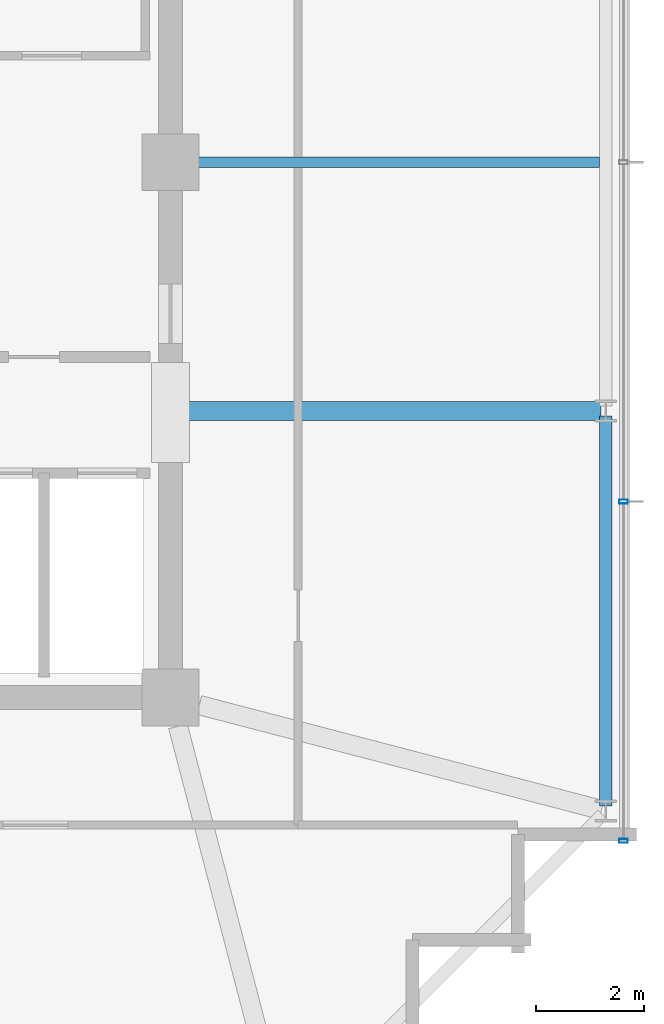
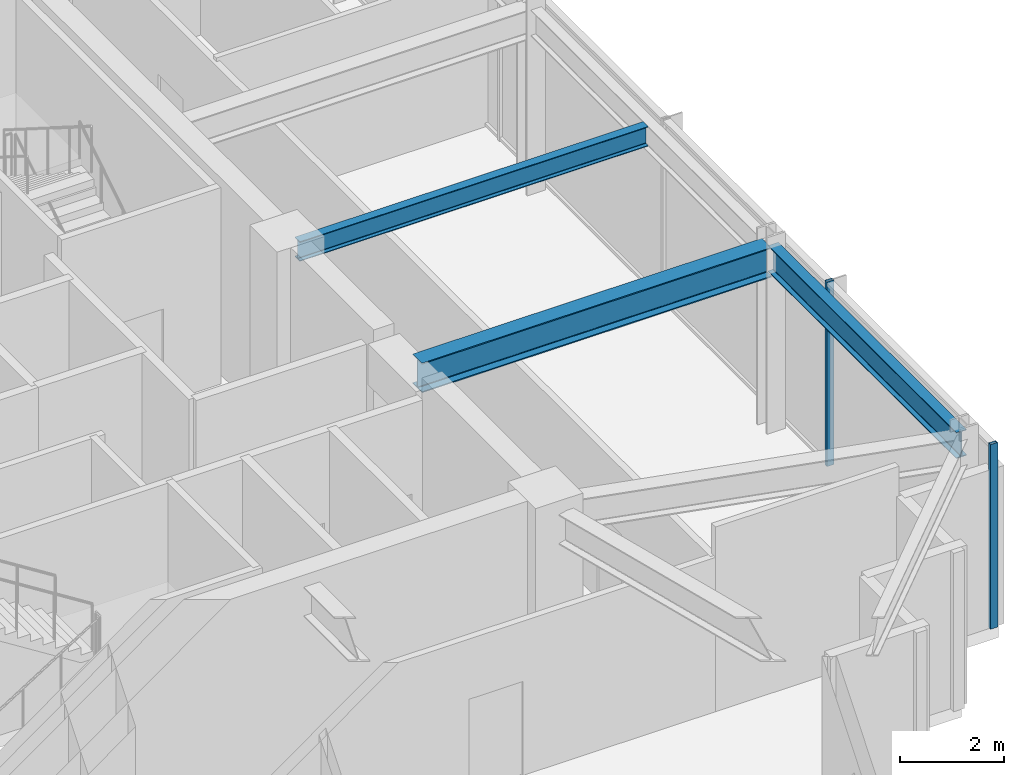
# One storey, part 11 of 30: 3 beams, 2 members, 1 element without a shape of its own.
"""IFC4 building model written with IfcOpenShell, lengths in metres."""

from ifc_helpers import new_model, si_unit, direction, frame, origin, origin_2d, place, context, subcontext, project, spatial, hollow_rectangle, i_section, extrude, material, material_profile, profile_set, type_object, element, aggregate, save


model = new_model("IFC4")

# Units and contexts
model_context = context("Model", 3, precision=1e-05, world=origin(), true_north=direction((0.0, 1.0)))
body_context = subcontext(model_context, "Body", "Model", "MODEL_VIEW")
ifc_project = project(units=[si_unit("LENGTHUNIT", "METRE"), si_unit("AREAUNIT", "SQUARE_METRE"), si_unit("VOLUMEUNIT", "CUBIC_METRE"), si_unit("PLANEANGLEUNIT", "RADIAN"), si_unit("MASSUNIT", "GRAM", prefix="KILO")], contexts=[model_context])

# Site, building, storey
site_placement = place(None, origin())
site = spatial("IfcSite", under=ifc_project, at=site_placement, CompositionType="ELEMENT")
building_placement = place(site_placement, origin())
building = spatial("IfcBuilding", under=site, at=building_placement, Name="Kolvaren Belvedere", CompositionType="ELEMENT")
storey_placement = place(building_placement, frame((0.0, 0.0, 262.800048828125)))
storey = spatial("IfcBuildingStorey", under=building, at=storey_placement, Name="L76", CompositionType="ELEMENT", Elevation=262.800048828125)

# Beams
ifc_material_1 = material(Name="Structural steel ASTM A992 Grade 50", Category="steel")
ifc_material_profile_1 = material_profile(ifc_material_1, i_section(OverallWidth=0.35498046875, OverallDepth=0.696044921875, WebThickness=0.015380859375, FlangeThickness=0.02490234375, FilletRadius=0.02197265625, at=origin_2d()), Name="W27X146")
ifc_profile_set_1 = profile_set([ifc_material_profile_1], Name="Structural steel ASTM A992 Grade 50")
beam_type_1 = type_object("IfcBeamType", Name="BM-GIRD-W27X146", PredefinedType="BEAM", material=ifc_profile_set_1)
beam_1_placement = place(storey_placement, frame((10.125, -4.60009765625, 3.971923828125), z_axis=(1.0, 0.0, 0.0), x_axis=(0.0, 1.0, 0.0)))
element("IfcBeam", 1, at=beam_1_placement, inside=storey, type_object=beam_type_1, Name="L76 East Radial Girder M", PredefinedType="BEAM", context=body_context, shape_type="SweptSolid", body=[
    extrude(i_section(OverallWidth=0.35498046875, OverallDepth=0.696044921875, WebThickness=0.015380859375, FlangeThickness=0.02490234375, FilletRadius=0.02197265625, at=origin_2d()), origin(), (0.0, 0.0, 1.0), 7.7333984375),
])
ifc_material_2 = material(Name="Structural steel ASTM A992 Grade 50", Category="steel")
ifc_material_profile_2 = material_profile(ifc_material_2, i_section(OverallWidth=0.19091796875, OverallDepth=0.4599609375, WebThickness=0.010009765625, FlangeThickness=0.01611328125, FilletRadius=0.014892578125, at=origin_2d()), Name="W18X55")
ifc_profile_set_2 = profile_set([ifc_material_profile_2], Name="Structural steel ASTM A992 Grade 50")
beam_type_2 = type_object("IfcBeamType", Name="BM-JOIST-W18X55", PredefinedType="BEAM", material=ifc_profile_set_2)
beam_2_placement = place(storey_placement, frame((10.125, 0.0, 4.08984375), z_axis=(1.0, 0.0, 0.0), x_axis=(0.0, 1.0, 0.0)))
element("IfcBeam", 2, at=beam_2_placement, inside=storey, type_object=beam_type_2, Name="L76 East Centre Floor Beam", PredefinedType="BEAM", context=body_context, shape_type="SweptSolid", body=[
    extrude(i_section(OverallWidth=0.19091796875, OverallDepth=0.4599609375, WebThickness=0.010009765625, FlangeThickness=0.01611328125, FilletRadius=0.014892578125, at=origin_2d()), origin(), (0.0, 0.0, 1.0), 7.71044921875),
])
ifc_material_3 = material(Name="Structural steel ASTM A992 Grade 50", Category="steel")
ifc_material_profile_3 = material_profile(ifc_material_3, i_section(OverallWidth=0.22900390625, OverallDepth=0.612060546875, WebThickness=0.011962890625, FlangeThickness=0.01953125, FilletRadius=0.01806640625, at=origin_2d()), Name="W24X84")
ifc_profile_set_3 = profile_set([ifc_material_profile_3], Name="Structural steel ASTM A992 Grade 50")
beam_type_3 = type_object("IfcBeamType", Name="BM-SPAN-W24X84", PredefinedType="SPANDREL", material=ifc_profile_set_3)
beam_3_placement = place(storey_placement, frame((17.949951171875, -11.908447265625, 4.013916015625), z_axis=(0.0, 1.0, 0.0), x_axis=(-1.0, 0.0, 0.0)))
element("IfcBeam", 3, at=beam_3_placement, inside=storey, type_object=beam_type_3, Name="L76 Perimeter Spandrel E1-E2", PredefinedType="SPANDREL", context=body_context, shape_type="SweptSolid", body=[
    extrude(i_section(OverallWidth=0.22900390625, OverallDepth=0.612060546875, WebThickness=0.011962890625, FlangeThickness=0.01953125, FilletRadius=0.01806640625, at=origin_2d()), origin(), (0.0, 0.0, 1.0), 7.216796875),
])

# Curtain wall, members
ifc_material_4 = material(Name="Anodised pale-metal aluminium AA 6063-T6", Category="aluminium")
curtain_wall_type = type_object("IfcCurtainWallType", Name="CW-CRN-OBS", PredefinedType="NOTDEFINED", material=ifc_material_4)
curtain_wall_placement = place(storey_placement, origin())
curtain_wall = element("IfcCurtainWall", 4, at=curtain_wall_placement, inside=storey, type_object=curtain_wall_type, Name="L76 Unitised Curtain Wall FCW-L76-E", PredefinedType="NOTDEFINED")
ifc_material_5 = material(Name="Anodised pale-metal aluminium AA 6063-T6", Category="aluminium")
ifc_material_profile_4 = material_profile(ifc_material_5, hollow_rectangle(XDim=0.074951171875, YDim=0.159912109375, WallThickness=0.00439453125, at=origin_2d()), Name="ALU-MUL-160X75")
ifc_profile_set_4 = profile_set([ifc_material_profile_4], Name="Anodised pale-metal aluminium AA 6063-T6")
member_type = type_object("IfcMemberType", Name="CW-MUL-160", PredefinedType="MULLION", material=ifc_profile_set_4)
member_1_placement = place(storey_placement, frame((18.280029296875, -6.27490234375, 0.0), z_axis=(0.0, 0.0, 1.0), x_axis=(0.0, 1.0, 0.0)))
member_1 = element("IfcMember", 5, at=member_1_placement, type_object=member_type, Name="FCW-L76-E Unitised Mullion 4", PredefinedType="MULLION", context=body_context, shape_type="SweptSolid", body=[
    extrude(hollow_rectangle(XDim=0.074951171875, YDim=0.159912109375, WallThickness=0.00439453125, at=origin_2d()), origin(), (0.0, 0.0, 1.0), 4.320068359375),
])
member_2_placement = place(storey_placement, frame((18.280029296875, -12.550048828125, 0.0), z_axis=(0.0, 0.0, 1.0), x_axis=(0.0, 1.0, 0.0)))
member_2 = element("IfcMember", 6, at=member_2_placement, type_object=member_type, Name="FCW-L76-E Unitised Mullion 5", PredefinedType="MULLION", context=body_context, shape_type="SweptSolid", body=[
    extrude(hollow_rectangle(XDim=0.074951171875, YDim=0.159912109375, WallThickness=0.00439453125, at=origin_2d()), origin(), (0.0, 0.0, 1.0), 4.320068359375),
])
aggregate(curtain_wall, [member_1, member_2])

save(model, "model.ifc")
